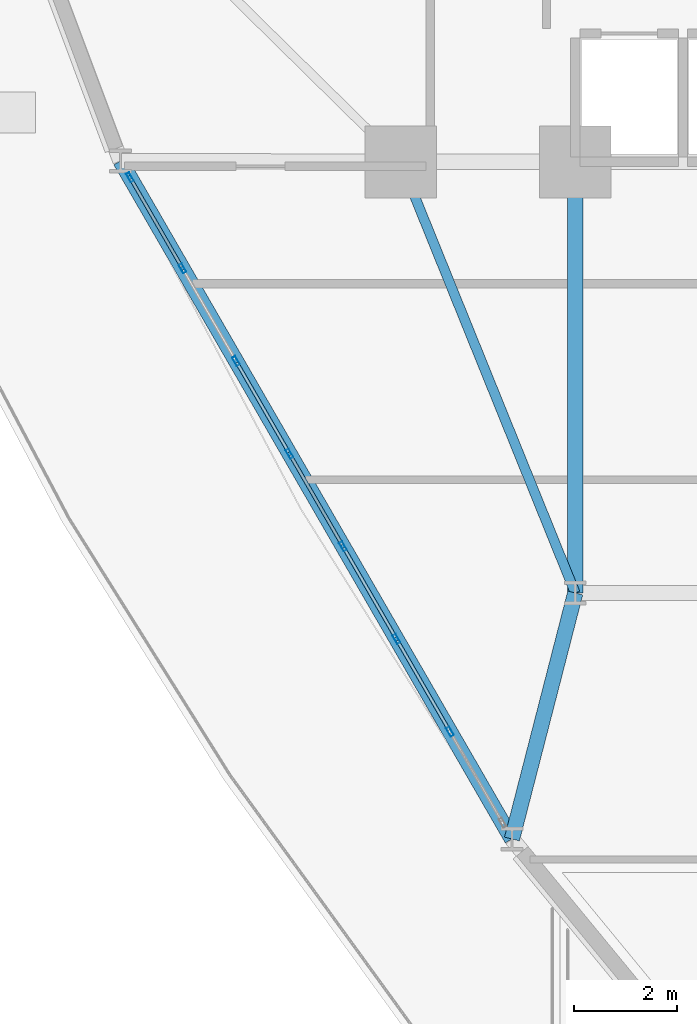
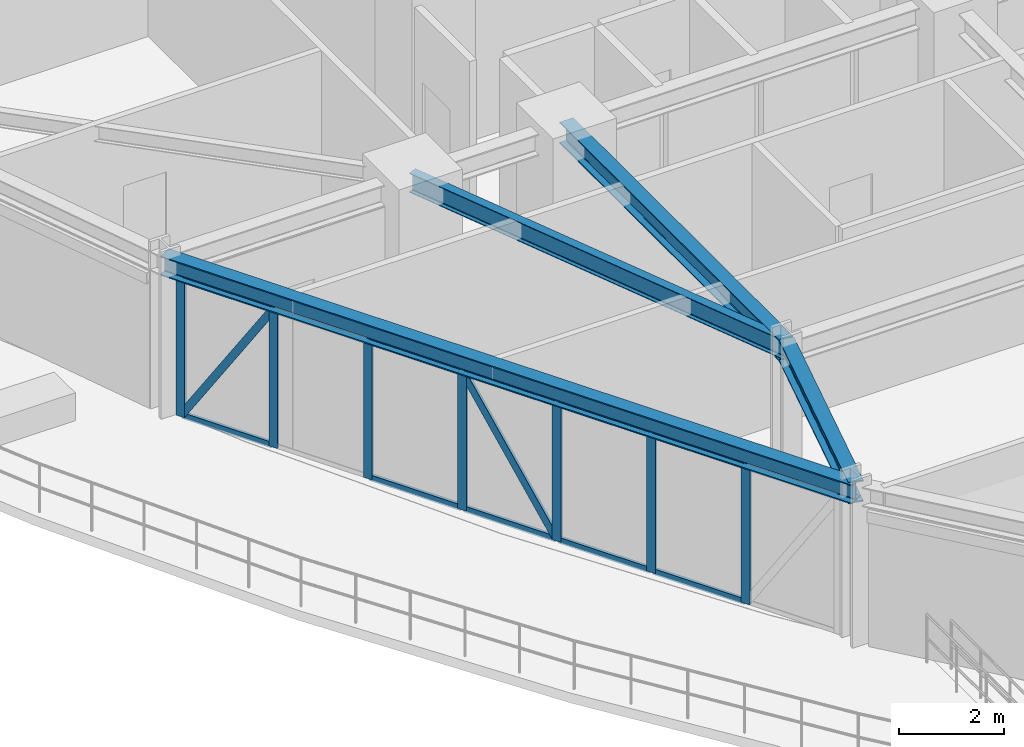
# One storey, part 4 of 21: 19 members, 4 beams, 1 element without a shape of its own.
"""IFC4 building model written with IfcOpenShell, lengths in metres."""

from ifc_helpers import new_model, si_unit, derived_unit, direction, frame, origin, origin_2d, place, context, subcontext, project, spatial, hollow_rectangle, i_section, extrude, source, transform, mapped, material, layer, layer_set, material_profile, profile_set, type_object, element, aggregate, save


model = new_model("IFC4")

# Units and contexts
model_context = context("Model", 3, precision=1e-05, world=origin(), true_north=direction((0.0, 1.0)))
body_context = subcontext(model_context, "Body", "Model", "MODEL_VIEW")
ifc_project = project(units=[si_unit("LENGTHUNIT", "METRE"), si_unit("AREAUNIT", "SQUARE_METRE"), si_unit("VOLUMEUNIT", "CUBIC_METRE"), si_unit("PLANEANGLEUNIT", "RADIAN"), si_unit("MASSUNIT", "GRAM", prefix="KILO"), derived_unit("THERMALTRANSMITTANCEUNIT", [(si_unit("POWERUNIT", "WATT"), 1), (si_unit("LENGTHUNIT", "METRE"), -2), (si_unit("THERMODYNAMICTEMPERATUREUNIT", "KELVIN"), -1)])], contexts=[model_context])

# Site, building, storey
site_placement = place(None, origin())
site = spatial("IfcSite", under=ifc_project, at=site_placement, CompositionType="ELEMENT")
building_placement = place(site_placement, origin())
building = spatial("IfcBuilding", under=site, at=building_placement, Name="Korsvarv Bourse and Concert Hall", CompositionType="ELEMENT")
storey_placement = place(building_placement, frame((0.0, 0.0, 63.89990234375)))
storey = spatial("IfcBuildingStorey", under=building, at=storey_placement, Name="L15", CompositionType="ELEMENT", Elevation=63.89990234375)

# Beams
ifc_material_1 = material(Name="Steel S355", Category="steel")
ifc_material_profile_1 = material_profile(ifc_material_1, i_section(OverallWidth=0.300048828125, OverallDepth=0.5, WebThickness=0.014404296875, FlangeThickness=0.028076171875, FilletRadius=0.02392578125, at=origin_2d()), Name="HEB 500")
ifc_profile_set_1 = profile_set([ifc_material_profile_1], Name="Steel S355")
beam_type_1 = type_object("IfcBeamType", Name="BM-HEB500", PredefinedType="BEAM", material=ifc_profile_set_1)
shared_shape_1 = source(origin(), body_context, "Body", "SweptSolid", [
    extrude(i_section(OverallWidth=0.300048828125, OverallDepth=0.5, WebThickness=0.014404296875, FlangeThickness=0.028076171875, FilletRadius=0.02392578125, at=origin_2d()), origin(), (0.0, 0.0, 1.0), 8.39990234375),
])
beam_1_placement = place(storey_placement, frame((27.60009765625, 24.0, 3.43017578125), z_axis=(0.0, 1.0, 0.0), x_axis=(-1.0, 0.0, 0.0)))
element("IfcBeam", 1, at=beam_1_placement, inside=storey, type_object=beam_type_1, Name="L15 beam B-07", PredefinedType="BEAM", context=body_context, shape_type="MappedRepresentation", body=[
    mapped(shared_shape_1, transform((0.0, 0.0, 0.0), scale=1.0)),
])
ifc_material_profile_2 = material_profile(ifc_material_1, i_section(OverallWidth=0.18994140625, OverallDepth=0.449951171875, WebThickness=0.009521484375, FlangeThickness=0.0146484375, FilletRadius=0.02099609375, at=origin_2d()), Name="IPE 450")
ifc_profile_set_2 = profile_set([ifc_material_profile_2], Name="Steel S355")
beam_type_2 = type_object("IfcBeamType", Name="BM-IPE450", PredefinedType="JOIST", material=ifc_profile_set_2)
shared_shape_2 = source(origin(), body_context, "Body", "SweptSolid", [
    extrude(i_section(OverallWidth=0.18994140625, OverallDepth=0.449951171875, WebThickness=0.009521484375, FlangeThickness=0.0146484375, FilletRadius=0.02099609375, at=origin_2d()), origin(), (0.0, 0.0, 1.0), 9.06201171875),
])
beam_2_placement = place(storey_placement, frame((24.199951171875, 32.39990234375, 3.455078125), z_axis=(0.375210394783, -0.926939674222, 0.0), x_axis=(0.926939674222, 0.375210394783, 0.0)))
element("IfcBeam", 2, at=beam_2_placement, inside=storey, type_object=beam_type_2, Name="L15 beam J-04", PredefinedType="JOIST", context=body_context, shape_type="MappedRepresentation", body=[
    mapped(shared_shape_2, transform((0.0, 0.0, 0.0), scale=1.0)),
])
ifc_material_profile_3 = material_profile(ifc_material_1, i_section(OverallWidth=0.300048828125, OverallDepth=0.449951171875, WebThickness=0.013916015625, FlangeThickness=0.02587890625, FilletRadius=0.02099609375, at=origin_2d()), Name="HEB 450")
ifc_profile_set_3 = profile_set([ifc_material_profile_3], Name="Steel S355")
beam_type_3 = type_object("IfcBeamType", Name="BM-HEB450", PredefinedType="SPANDREL", material=ifc_profile_set_3)
shared_shape_3 = source(origin(), body_context, "Body", "SweptSolid", [
    extrude(i_section(OverallWidth=0.300048828125, OverallDepth=0.449951171875, WebThickness=0.013916015625, FlangeThickness=0.02587890625, FilletRadius=0.02099609375, at=origin_2d()), origin(), (0.0, 0.0, 1.0), 15.25341796875),
])
beam_3_placement = place(storey_placement, frame((18.73974609375, 32.41650390625, 3.455078125), z_axis=(0.500015713259, -0.86601633154, 0.0), x_axis=(0.86601633154, 0.500015713259, 0.0)))
element("IfcBeam", 3, at=beam_3_placement, inside=storey, type_object=beam_type_3, Name="L15 beam B-08", PredefinedType="SPANDREL", context=body_context, shape_type="MappedRepresentation", body=[
    mapped(shared_shape_3, transform((0.0, 0.0, 0.0), scale=1.0)),
])
shared_shape_4 = source(origin(), body_context, "Body", "SweptSolid", [
    extrude(i_section(OverallWidth=0.300048828125, OverallDepth=0.5, WebThickness=0.014404296875, FlangeThickness=0.028076171875, FilletRadius=0.02392578125, at=origin_2d()), origin(), (0.0, 0.0, 1.0), 4.949462890625),
])
beam_4_placement = place(storey_placement, frame((26.36669921875, 19.206787109375, 3.43017578125), z_axis=(0.249203636477, 0.968451107473, 0.0), x_axis=(-0.968451107473, 0.249203636477, 0.0)))
element("IfcBeam", 4, at=beam_4_placement, inside=storey, type_object=beam_type_1, Name="L15 beam B-07", PredefinedType="BEAM", context=body_context, shape_type="MappedRepresentation", body=[
    mapped(shared_shape_4, transform((0.0, 0.0, 0.0), scale=1.0)),
])

# Curtain wall, members
ifc_material_2 = material(Name="Anodised aluminium and triple low-E glazing", Category="glass")
ifc_layer = layer(ifc_material_2, 0.219970703125)
ifc_layer_set = layer_set([ifc_layer], Name="Anodised aluminium and triple low-E glazing")
curtain_wall_type = type_object("IfcCurtainWallType", Name="CW-SYS-1", PredefinedType="NOTDEFINED", material=ifc_layer_set)
curtain_wall_placement = place(storey_placement, origin())
curtain_wall = element("IfcCurtainWall", 5, at=curtain_wall_placement, inside=storey, type_object=curtain_wall_type, Name="L15 CW1 curtain wall CW-L15-F07", PredefinedType="NOTDEFINED")
ifc_material_3 = material(Name="Extruded aluminium EN AW-6063 T66", Category="aluminium")
ifc_material_profile_4 = material_profile(ifc_material_3, hollow_rectangle(XDim=0.070068359375, YDim=0.18994140625, WallThickness=0.0048828125, at=origin_2d()), Name="ALU-M 70x190")
ifc_profile_set_4 = profile_set([ifc_material_profile_4], Name="Extruded aluminium EN AW-6063 T66")
member_type_1 = type_object("IfcMemberType", Name="CWM-190", PredefinedType="MULLION", material=ifc_profile_set_4)
shared_shape_5 = source(origin(), body_context, "Body", "SweptSolid", [
    extrude(hollow_rectangle(XDim=0.070068359375, YDim=0.18994140625, WallThickness=0.0048828125, at=origin_2d()), origin(), (0.0, 0.0, 1.0), 3.22998046875),
])
member_1_placement = place(storey_placement, frame((18.923095703125, 32.09912109375, 0.0), z_axis=(0.0, 0.0, 1.0), x_axis=(0.86602191759, 0.500006038217, 0.0)))
member_1 = element("IfcMember", 6, at=member_1_placement, type_object=member_type_1, Name="CW1 mullion 1", PredefinedType="MULLION", context=body_context, shape_type="MappedRepresentation", body=[
    mapped(shared_shape_5, transform((0.0, 0.0, 0.0), scale=1.0)),
])
member_2_placement = place(storey_placement, frame((19.94775390625, 30.324462890625, 0.0), z_axis=(0.0, 0.0, 1.0), x_axis=(0.86602191759, 0.500006038217, 0.0)))
member_2 = element("IfcMember", 7, at=member_2_placement, type_object=member_type_1, Name="CW1 mullion 2", PredefinedType="MULLION", context=body_context, shape_type="MappedRepresentation", body=[
    mapped(shared_shape_5, transform((0.0, 0.0, 0.0), scale=1.0)),
])
member_3_placement = place(storey_placement, frame((20.989990234375, 28.519287109375, 0.0), z_axis=(0.0, 0.0, 1.0), x_axis=(0.86602191759, 0.500006038217, 0.0)))
member_3 = element("IfcMember", 8, at=member_3_placement, type_object=member_type_1, Name="CW1 mullion 3", PredefinedType="MULLION", context=body_context, shape_type="MappedRepresentation", body=[
    mapped(shared_shape_5, transform((0.0, 0.0, 0.0), scale=1.0)),
])
member_4_placement = place(storey_placement, frame((22.031982421875, 26.714111328125, 0.0), z_axis=(0.0, 0.0, 1.0), x_axis=(0.86602191759, 0.500006038217, 0.0)))
member_4 = element("IfcMember", 9, at=member_4_placement, type_object=member_type_1, Name="CW1 mullion 4", PredefinedType="MULLION", context=body_context, shape_type="MappedRepresentation", body=[
    mapped(shared_shape_5, transform((0.0, 0.0, 0.0), scale=1.0)),
])
member_5_placement = place(storey_placement, frame((23.07421875, 24.908935546875, 0.0), z_axis=(0.0, 0.0, 1.0), x_axis=(0.86602191759, 0.500006038217, 0.0)))
member_5 = element("IfcMember", 10, at=member_5_placement, type_object=member_type_1, Name="CW1 mullion 5", PredefinedType="MULLION", context=body_context, shape_type="MappedRepresentation", body=[
    mapped(shared_shape_5, transform((0.0, 0.0, 0.0), scale=1.0)),
])
member_6_placement = place(storey_placement, frame((24.116455078125, 23.10400390625, 0.0), z_axis=(0.0, 0.0, 1.0), x_axis=(0.86602191759, 0.500006038217, 0.0)))
member_6 = element("IfcMember", 11, at=member_6_placement, type_object=member_type_1, Name="CW1 mullion 6", PredefinedType="MULLION", context=body_context, shape_type="MappedRepresentation", body=[
    mapped(shared_shape_5, transform((0.0, 0.0, 0.0), scale=1.0)),
])
member_7_placement = place(storey_placement, frame((25.15869140625, 21.298828125, 0.0), z_axis=(0.0, 0.0, 1.0), x_axis=(0.86602191759, 0.500006038217, 0.0)))
member_7 = element("IfcMember", 12, at=member_7_placement, type_object=member_type_1, Name="CW1 mullion 7", PredefinedType="MULLION", context=body_context, shape_type="MappedRepresentation", body=[
    mapped(shared_shape_5, transform((0.0, 0.0, 0.0), scale=1.0)),
])
ifc_material_profile_5 = material_profile(ifc_material_3, hollow_rectangle(XDim=0.06494140625, YDim=0.139892578125, WallThickness=0.00390625, at=origin_2d()), Name="ALU-T 65x140")
ifc_profile_set_5 = profile_set([ifc_material_profile_5], Name="Extruded aluminium EN AW-6063 T66")
member_type_2 = type_object("IfcMemberType", Name="CWT-140", PredefinedType="USERDEFINED", material=ifc_profile_set_5)
shared_shape_6 = source(origin(), body_context, "Body", "SweptSolid", [
    extrude(hollow_rectangle(XDim=0.06494140625, YDim=0.139892578125, WallThickness=0.00390625, at=origin_2d()), origin(), (0.0, 0.0, 1.0), 1.979248046875),
])
member_8_placement = place(storey_placement, frame((18.9404296875, 32.06884765625, 0.03271484375), z_axis=(0.500039200885, -0.86600276996, 0.0), x_axis=(0.86600276996, 0.500039200885, 0.0)))
member_8 = element("IfcMember", 13, at=member_8_placement, type_object=member_type_2, Name="CW1 transom 1.1", ObjectType="TRANSOM", PredefinedType="USERDEFINED", context=body_context, shape_type="MappedRepresentation", body=[
    mapped(shared_shape_6, transform((0.0, 0.0, 0.0), scale=1.0)),
])
member_9_placement = place(storey_placement, frame((18.9404296875, 32.06884765625, 3.197509765625), z_axis=(0.500039200885, -0.86600276996, 0.0), x_axis=(0.86600276996, 0.500039200885, 0.0)))
member_9 = element("IfcMember", 14, at=member_9_placement, type_object=member_type_2, Name="CW1 transom 1.2", ObjectType="TRANSOM", PredefinedType="USERDEFINED", context=body_context, shape_type="MappedRepresentation", body=[
    mapped(shared_shape_6, transform((0.0, 0.0, 0.0), scale=1.0)),
])
ifc_material_profile_6 = material_profile(ifc_material_3, hollow_rectangle(XDim=0.06494140625, YDim=0.1650390625, WallThickness=0.0048828125, at=origin_2d()), Name="ALU-M 65x165")
ifc_profile_set_6 = profile_set([ifc_material_profile_6], Name="Extruded aluminium EN AW-6063 T66")
member_type_3 = type_object("IfcMemberType", Name="CWM-165", PredefinedType="MULLION", material=ifc_profile_set_6)
shared_shape_7 = source(origin(), body_context, "Body", "SweptSolid", [
    extrude(hollow_rectangle(XDim=0.06494140625, YDim=0.1650390625, WallThickness=0.0048828125, at=origin_2d()), origin(), (0.0, 0.0, 1.0), 3.677978515625),
])
member_10_placement = place(storey_placement, frame((18.9404296875, 32.06884765625, 0.065185546875), z_axis=(0.269107120812, -0.466058484268, 0.842835005662), x_axis=(0.86600276996, 0.500039200885, 0.0)))
member_10 = element("IfcMember", 15, at=member_10_placement, type_object=member_type_3, Name="CW1 diagonal mullion 1", PredefinedType="MULLION", context=body_context, shape_type="MappedRepresentation", body=[
    mapped(shared_shape_7, transform((0.0, 0.0, 0.0), scale=1.0)),
])
shared_shape_8 = source(origin(), body_context, "Body", "SweptSolid", [
    extrude(hollow_rectangle(XDim=0.06494140625, YDim=0.139892578125, WallThickness=0.00390625, at=origin_2d()), origin(), (0.0, 0.0, 1.0), 2.0146484375),
])
member_11_placement = place(storey_placement, frame((21.00732421875, 28.489013671875, 0.03271484375), z_axis=(0.500023174947, -0.866012023309, 0.0), x_axis=(0.866012023309, 0.500023174947, 0.0)))
member_11 = element("IfcMember", 16, at=member_11_placement, type_object=member_type_2, Name="CW1 transom 3.1", ObjectType="TRANSOM", PredefinedType="USERDEFINED", context=body_context, shape_type="MappedRepresentation", body=[
    mapped(shared_shape_8, transform((0.0, 0.0, 0.0), scale=1.0)),
])
member_12_placement = place(storey_placement, frame((21.00732421875, 28.489013671875, 3.197509765625), z_axis=(0.500023174947, -0.866012023309, 0.0), x_axis=(0.866012023309, 0.500023174947, 0.0)))
member_12 = element("IfcMember", 17, at=member_12_placement, type_object=member_type_2, Name="CW1 transom 3.2", ObjectType="TRANSOM", PredefinedType="USERDEFINED", context=body_context, shape_type="MappedRepresentation", body=[
    mapped(shared_shape_8, transform((0.0, 0.0, 0.0), scale=1.0)),
])
shared_shape_9 = source(origin(), body_context, "Body", "SweptSolid", [
    extrude(hollow_rectangle(XDim=0.06494140625, YDim=0.139892578125, WallThickness=0.00390625, at=origin_2d()), origin(), (0.0, 0.0, 1.0), 2.014404296875),
])
member_13_placement = place(storey_placement, frame((22.049560546875, 26.683837890625, 0.03271484375), z_axis=(0.500075657258, -0.86598171864, 0.0), x_axis=(0.86598171864, 0.500075657258, 0.0)))
member_13 = element("IfcMember", 18, at=member_13_placement, type_object=member_type_2, Name="CW1 transom 4.1", ObjectType="TRANSOM", PredefinedType="USERDEFINED", context=body_context, shape_type="MappedRepresentation", body=[
    mapped(shared_shape_9, transform((0.0, 0.0, 0.0), scale=1.0)),
])
member_14_placement = place(storey_placement, frame((22.049560546875, 26.683837890625, 3.197509765625), z_axis=(0.500075657258, -0.86598171864, 0.0), x_axis=(0.86598171864, 0.500075657258, 0.0)))
member_14 = element("IfcMember", 19, at=member_14_placement, type_object=member_type_2, Name="CW1 transom 4.2", ObjectType="TRANSOM", PredefinedType="USERDEFINED", context=body_context, shape_type="MappedRepresentation", body=[
    mapped(shared_shape_9, transform((0.0, 0.0, 0.0), scale=1.0)),
])
member_15_placement = place(storey_placement, frame((23.091796875, 24.878662109375, 0.03271484375), z_axis=(0.500075657258, -0.86598171864, 0.0), x_axis=(0.86598171864, 0.500075657258, 0.0)))
member_15 = element("IfcMember", 20, at=member_15_placement, type_object=member_type_2, Name="CW1 transom 5.1", ObjectType="TRANSOM", PredefinedType="USERDEFINED", context=body_context, shape_type="MappedRepresentation", body=[
    mapped(shared_shape_9, transform((0.0, 0.0, 0.0), scale=1.0)),
])
member_16_placement = place(storey_placement, frame((23.091796875, 24.878662109375, 3.197509765625), z_axis=(0.500075657258, -0.86598171864, 0.0), x_axis=(0.86598171864, 0.500075657258, 0.0)))
member_16 = element("IfcMember", 21, at=member_16_placement, type_object=member_type_2, Name="CW1 transom 5.2", ObjectType="TRANSOM", PredefinedType="USERDEFINED", context=body_context, shape_type="MappedRepresentation", body=[
    mapped(shared_shape_9, transform((0.0, 0.0, 0.0), scale=1.0)),
])
member_17_placement = place(storey_placement, frame((24.134033203125, 23.07373046875, 0.03271484375), z_axis=(0.499932278224, -0.86606449944, 0.0), x_axis=(0.86606449944, 0.499932278224, 0.0)))
member_17 = element("IfcMember", 22, at=member_17_placement, type_object=member_type_2, Name="CW1 transom 6.1", ObjectType="TRANSOM", PredefinedType="USERDEFINED", context=body_context, shape_type="MappedRepresentation", body=[
    mapped(shared_shape_9, transform((0.0, 0.0, 0.0), scale=1.0)),
])
member_18_placement = place(storey_placement, frame((24.134033203125, 23.07373046875, 3.197509765625), z_axis=(0.499932278224, -0.86606449944, 0.0), x_axis=(0.86606449944, 0.499932278224, 0.0)))
member_18 = element("IfcMember", 23, at=member_18_placement, type_object=member_type_2, Name="CW1 transom 6.2", ObjectType="TRANSOM", PredefinedType="USERDEFINED", context=body_context, shape_type="MappedRepresentation", body=[
    mapped(shared_shape_9, transform((0.0, 0.0, 0.0), scale=1.0)),
])
shared_shape_10 = source(origin(), body_context, "Body", "SweptSolid", [
    extrude(hollow_rectangle(XDim=0.06494140625, YDim=0.1650390625, WallThickness=0.0048828125, at=origin_2d()), origin(), (0.0, 0.0, 1.0), 3.69677734375),
])
member_19_placement = place(storey_placement, frame((23.056884765625, 24.939453125, 0.065185546875), z_axis=(-0.272482043824, 0.471857538324, 0.838512969083), x_axis=(-0.86598171864, -0.500075657258, 0.0)))
member_19 = element("IfcMember", 24, at=member_19_placement, type_object=member_type_3, Name="CW1 diagonal mullion 4", PredefinedType="MULLION", context=body_context, shape_type="MappedRepresentation", body=[
    mapped(shared_shape_10, transform((0.0, 0.0, 0.0), scale=1.0)),
])
aggregate(curtain_wall, [member_1, member_2, member_3, member_4, member_5, member_6, member_7, member_8, member_9, member_10, member_11, member_12, member_13, member_14, member_19, member_15, member_16, member_17, member_18])

save(model, "model.ifc")
